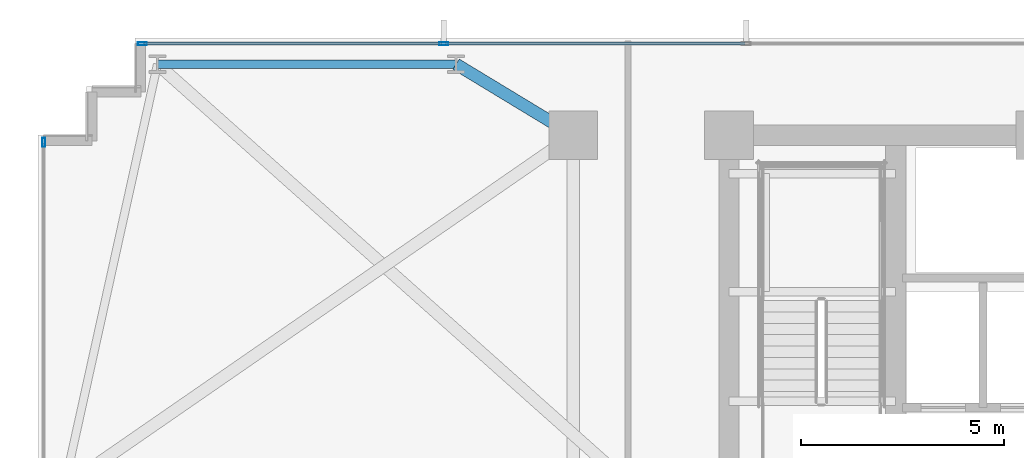
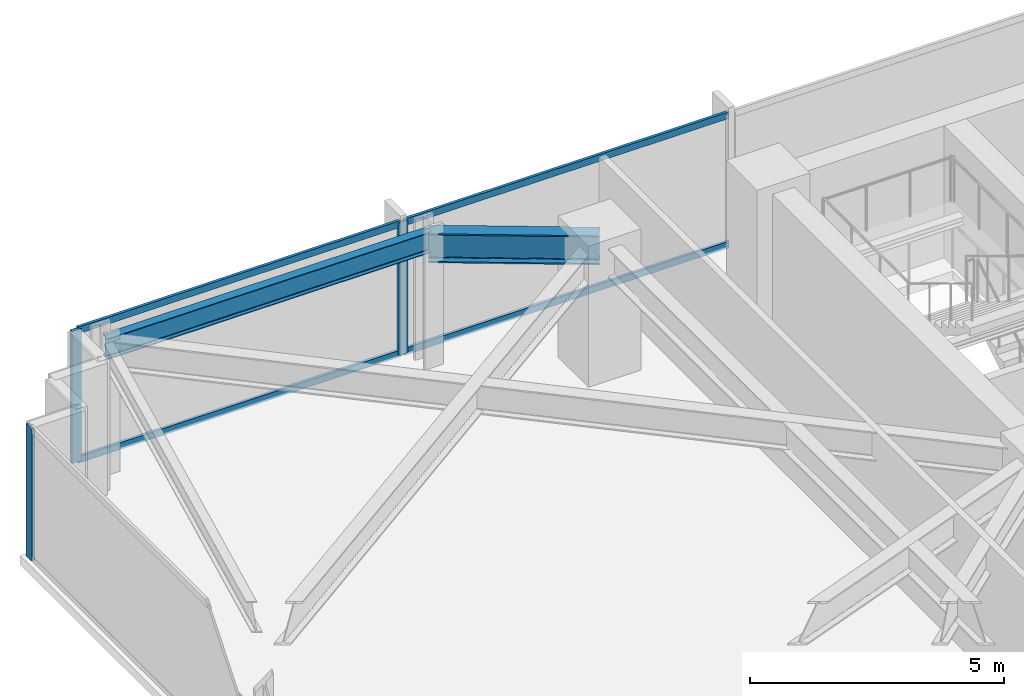
# One storey, part 17 of 32: 7 members, 2 beams, 2 elements without a shape of their own.
"""IFC4 building model written with IfcOpenShell, lengths in metres."""

from ifc_helpers import new_model, si_unit, direction, frame, origin, origin_2d, place, context, subcontext, project, spatial, hollow_rectangle, i_section, extrude, material, material_profile, profile_set, type_object, element, aggregate, save


model = new_model("IFC4")

# Units and contexts
model_context = context("Model", 3, precision=1e-05, world=origin(), true_north=direction((0.0, 1.0)))
body_context = subcontext(model_context, "Body", "Model", "MODEL_VIEW")
ifc_project = project(units=[si_unit("LENGTHUNIT", "METRE"), si_unit("AREAUNIT", "SQUARE_METRE"), si_unit("VOLUMEUNIT", "CUBIC_METRE"), si_unit("PLANEANGLEUNIT", "RADIAN"), si_unit("MASSUNIT", "GRAM", prefix="KILO")], contexts=[model_context])

# Site, building, storey
site_placement = place(None, origin())
site = spatial("IfcSite", under=ifc_project, at=site_placement, CompositionType="ELEMENT")
building_placement = place(site_placement, origin())
building = spatial("IfcBuilding", under=site, at=building_placement, Name="Yelkora Congress Tower", CompositionType="ELEMENT")
storey_placement = place(building_placement, frame((0.0, 0.0, 67.800048828125)))
storey = spatial("IfcBuildingStorey", under=building, at=storey_placement, Name="L17", CompositionType="ELEMENT", Elevation=67.800048828125)

# Beams
ifc_material_1 = material(Name="Steel S355J2", Category="steel")
ifc_material_profile_1 = material_profile(ifc_material_1, i_section(OverallWidth=0.300048828125, OverallDepth=0.699951171875, WebThickness=0.01708984375, FlangeThickness=0.031982421875, FilletRadius=0.027099609375, at=origin_2d()), Name="HEB 700")
ifc_profile_set_1 = profile_set([ifc_material_profile_1], Name="Steel S355J2")
beam_type_1 = type_object("IfcBeamType", Name="BM-GIRD-HEB700", PredefinedType="BEAM", material=ifc_profile_set_1)
beam_1_placement = place(storey_placement, frame((16.3125, 47.949951171875, 2.829833984375), z_axis=(0.855193946581, -0.518308126244, 0.0), x_axis=(0.518308126244, 0.855193946581, 0.0)))
element("IfcBeam", 1, at=beam_1_placement, inside=storey, type_object=beam_type_1, Name="L17 Primary Frame Girder N02", PredefinedType="BEAM", context=body_context, shape_type="SweptSolid", body=[
    extrude(i_section(OverallWidth=0.300048828125, OverallDepth=0.699951171875, WebThickness=0.01708984375, FlangeThickness=0.031982421875, FilletRadius=0.027099609375, at=origin_2d()), origin(), (0.0, 0.0, 1.0), 3.37646484375),
])
ifc_material_profile_2 = material_profile(ifc_material_1, i_section(OverallWidth=0.199951171875, OverallDepth=0.5, WebThickness=0.01025390625, FlangeThickness=0.01611328125, FilletRadius=0.02099609375, at=origin_2d()), Name="IPE 500")
ifc_profile_set_2 = profile_set([ifc_material_profile_2], Name="Steel S355J2")
beam_type_2 = type_object("IfcBeamType", Name="BM-SPAN-IPE500", PredefinedType="SPANDREL", material=ifc_profile_set_2)
beam_2_placement = place(storey_placement, frame((16.3125, 47.949951171875, 2.929931640625), z_axis=(-1.0, 0.0, 0.0), x_axis=(0.0, -1.0, 0.0)))
element("IfcBeam", 2, at=beam_2_placement, inside=storey, type_object=beam_type_2, Name="L17 Perimeter Beam 16", PredefinedType="SPANDREL", context=body_context, shape_type="SweptSolid", body=[
    extrude(i_section(OverallWidth=0.199951171875, OverallDepth=0.5, WebThickness=0.01025390625, FlangeThickness=0.01611328125, FilletRadius=0.02099609375, at=origin_2d()), origin(), (0.0, 0.0, 1.0), 7.362548828125),
])

# Curtain wall, member
ifc_material_2 = material(Name="Anodised aluminium and insulated glass", Category="aluminium")
curtain_wall_type = type_object("IfcCurtainWallType", Name="CW-SYS-B1", PredefinedType="NOTDEFINED", material=ifc_material_2)
curtain_wall_1_placement = place(storey_placement, origin())
curtain_wall_1 = element("IfcCurtainWall", 3, at=curtain_wall_1_placement, inside=storey, type_object=curtain_wall_type, Name="L17 Unitised Curtain Wall 5", PredefinedType="NOTDEFINED")
ifc_material_3 = material(Name="Anodised aluminium 6063-T6", Category="aluminium")
ifc_material_profile_3 = material_profile(ifc_material_3, hollow_rectangle(XDim=0.074951171875, YDim=0.219970703125, WallThickness=0.0048828125, at=origin_2d()), Name="ALU 75x220x5")
ifc_profile_set_3 = profile_set([ifc_material_profile_3], Name="Anodised aluminium 6063-T6")
member_type_1 = type_object("IfcMemberType", Name="MEM-ML-B1", PredefinedType="MULLION", material=ifc_profile_set_3)
member_1_placement = place(storey_placement, frame((6.139892578125, 46.0224609375, 0.0), z_axis=(0.0, 0.0, 1.0), x_axis=(-1.0, 0.0, 0.0)))
member_1 = element("IfcMember", 4, at=member_1_placement, type_object=member_type_1, Name="CW-B1 mullion 5", PredefinedType="MULLION", context=body_context, shape_type="SweptSolid", body=[
    extrude(hollow_rectangle(XDim=0.074951171875, YDim=0.219970703125, WallThickness=0.0048828125, at=origin_2d()), origin(), (0.0, 0.0, 1.0), 3.179931640625),
])
aggregate(curtain_wall_1, [member_1])

# Curtain wall, members
curtain_wall_2_placement = place(storey_placement, origin())
curtain_wall_2 = element("IfcCurtainWall", 5, at=curtain_wall_2_placement, inside=storey, type_object=curtain_wall_type, Name="L17 Unitised Curtain Wall 10", PredefinedType="NOTDEFINED")
member_2_placement = place(storey_placement, frame((8.577392578125, 48.4599609375, 0.0), z_axis=(0.0, 0.0, 1.0), x_axis=(0.0, 1.0, 0.0)))
member_2 = element("IfcMember", 6, at=member_2_placement, type_object=member_type_1, Name="CW-B1 mullion 1", PredefinedType="MULLION", context=body_context, shape_type="SweptSolid", body=[
    extrude(hollow_rectangle(XDim=0.074951171875, YDim=0.219970703125, WallThickness=0.0048828125, at=origin_2d()), origin(), (0.0, 0.0, 1.0), 3.179931640625),
])
member_3_placement = place(storey_placement, frame((16.0048828125, 48.4599609375, 0.0), z_axis=(0.0, 0.0, 1.0), x_axis=(0.0, 1.0, 0.0)))
member_3 = element("IfcMember", 7, at=member_3_placement, type_object=member_type_1, Name="CW-B1 mullion 2", PredefinedType="MULLION", context=body_context, shape_type="SweptSolid", body=[
    extrude(hollow_rectangle(XDim=0.074951171875, YDim=0.219970703125, WallThickness=0.0048828125, at=origin_2d()), origin(), (0.0, 0.0, 1.0), 3.179931640625),
])
ifc_material_profile_4 = material_profile(ifc_material_3, hollow_rectangle(XDim=0.06494140625, YDim=0.159912109375, WallThickness=0.00390625, at=origin_2d()), Name="ALU 65x160x4")
ifc_profile_set_4 = profile_set([ifc_material_profile_4], Name="Anodised aluminium 6063-T6")
member_type_2 = type_object("IfcMemberType", Name="MEM-TR-B1", PredefinedType="USERDEFINED", material=ifc_profile_set_4)
member_4_placement = place(storey_placement, frame((8.614990234375, 48.4599609375, 0.032470703125), z_axis=(1.0, 0.0, 0.0), x_axis=(0.0, 1.0, 0.0)))
member_4 = element("IfcMember", 8, at=member_4_placement, type_object=member_type_2, Name="CW-B1 transom 1.1", ObjectType="TRANSOM", PredefinedType="USERDEFINED", context=body_context, shape_type="SweptSolid", body=[
    extrude(hollow_rectangle(XDim=0.06494140625, YDim=0.159912109375, WallThickness=0.00390625, at=origin_2d()), origin(), (0.0, 0.0, 1.0), 7.3525390625),
])
member_5_placement = place(storey_placement, frame((8.614990234375, 48.4599609375, 3.1474609375), z_axis=(1.0, 0.0, 0.0), x_axis=(0.0, 1.0, 0.0)))
member_5 = element("IfcMember", 9, at=member_5_placement, type_object=member_type_2, Name="CW-B1 transom 1.2", ObjectType="TRANSOM", PredefinedType="USERDEFINED", context=body_context, shape_type="SweptSolid", body=[
    extrude(hollow_rectangle(XDim=0.06494140625, YDim=0.159912109375, WallThickness=0.00390625, at=origin_2d()), origin(), (0.0, 0.0, 1.0), 7.3525390625),
])
member_6_placement = place(storey_placement, frame((16.04248046875, 48.4599609375, 0.032470703125), z_axis=(1.0, 0.0, 0.0), x_axis=(0.0, 1.0, 0.0)))
member_6 = element("IfcMember", 10, at=member_6_placement, type_object=member_type_2, Name="CW-B1 transom 2.1", ObjectType="TRANSOM", PredefinedType="USERDEFINED", context=body_context, shape_type="SweptSolid", body=[
    extrude(hollow_rectangle(XDim=0.06494140625, YDim=0.159912109375, WallThickness=0.00390625, at=origin_2d()), origin(), (0.0, 0.0, 1.0), 7.39013671875),
])
member_7_placement = place(storey_placement, frame((16.04248046875, 48.4599609375, 3.1474609375), z_axis=(1.0, 0.0, 0.0), x_axis=(0.0, 1.0, 0.0)))
member_7 = element("IfcMember", 11, at=member_7_placement, type_object=member_type_2, Name="CW-B1 transom 2.2", ObjectType="TRANSOM", PredefinedType="USERDEFINED", context=body_context, shape_type="SweptSolid", body=[
    extrude(hollow_rectangle(XDim=0.06494140625, YDim=0.159912109375, WallThickness=0.00390625, at=origin_2d()), origin(), (0.0, 0.0, 1.0), 7.39013671875),
])
aggregate(curtain_wall_2, [member_2, member_3, member_4, member_5, member_6, member_7])

save(model, "model.ifc")
